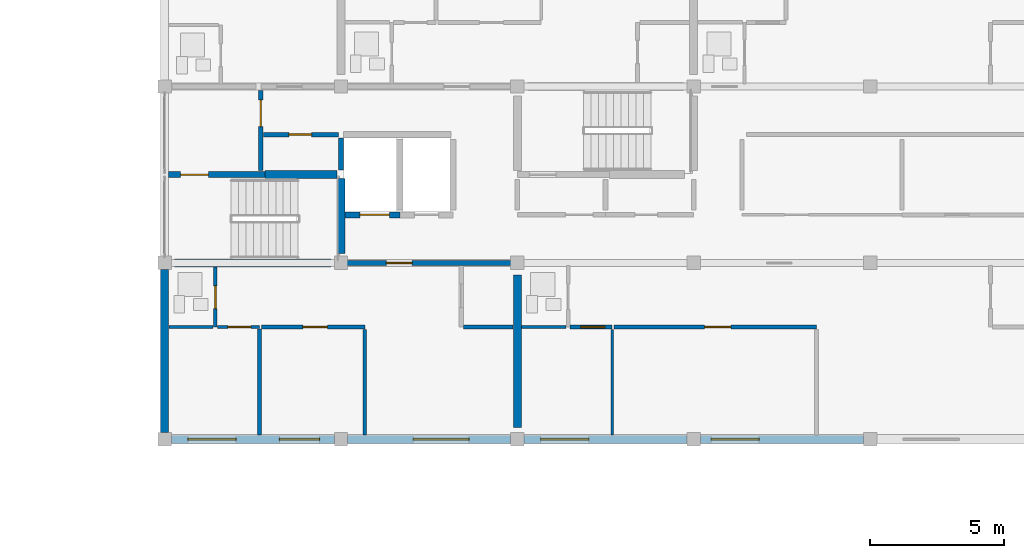
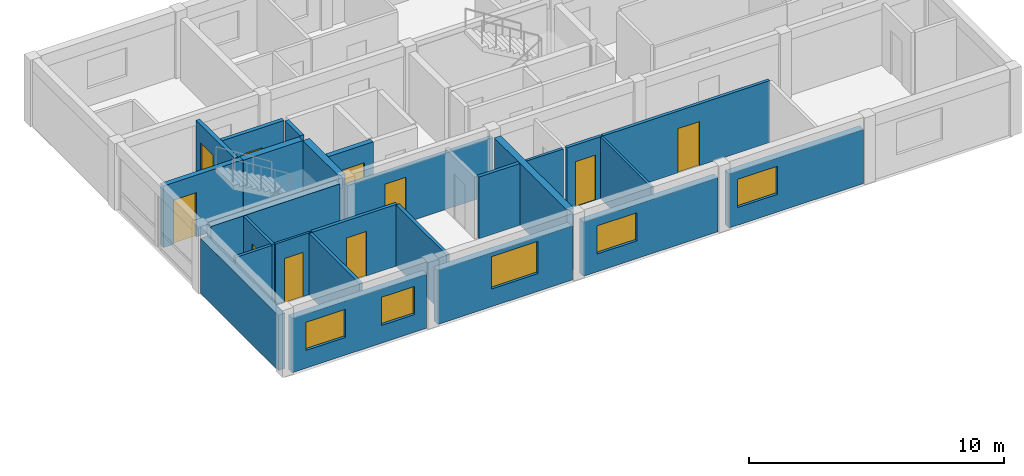
# One storey, part 34 of 45: 26 walls, 10 doors, 5 windows, 15 openings.
"""IFC4 building model written with IfcOpenShell, lengths in metres."""

from ifc_helpers import new_model, si_unit, direction, frame, frame_2d, origin, place, context, subcontext, project, spatial, rectangle, extrude, material, layer, layer_set, type_object, element, fill, save


model = new_model("IFC4")

# Units and contexts
model_context = context("Model", 3, precision=1e-05, world=origin(), true_north=direction((0.0, 1.0)))
body_context = subcontext(model_context, "Body", "Model", "MODEL_VIEW")
ifc_project = project(units=[si_unit("LENGTHUNIT", "METRE"), si_unit("AREAUNIT", "SQUARE_METRE"), si_unit("VOLUMEUNIT", "CUBIC_METRE"), si_unit("PLANEANGLEUNIT", "RADIAN"), si_unit("MASSUNIT", "GRAM", prefix="KILO")], contexts=[model_context])

# Site, building, storey
site_placement = place(None, origin())
site = spatial("IfcSite", under=ifc_project, at=site_placement, CompositionType="ELEMENT")
building_placement = place(site_placement, origin())
building = spatial("IfcBuilding", under=site, at=building_placement, Name="Kernevlak Ridge Housing Community", CompositionType="ELEMENT")
storey_placement = place(building_placement, frame((0.0, 0.0, 14.800048828125)))
storey = spatial("IfcBuildingStorey", under=building, at=storey_placement, Name="L04", CompositionType="ELEMENT", Elevation=14.800048828125)

# Wall, openings, windows
ifc_material_1 = material(Name="Concrete block masonry M10", Category="masonry")
ifc_layer_1 = layer(ifc_material_1, 0.300048828125, Name="Concrete block masonry M10")
ifc_layer_set_1 = layer_set([ifc_layer_1], Name="Concrete block masonry M10")
wall_type_1 = type_object("IfcWallType", Name="EW-01", PredefinedType="STANDARD", material=ifc_layer_set_1)
wall_1_placement = place(storey_placement, frame((119.64990234375, 82.60009765625, 0.0), z_axis=(0.0, 0.0, 1.0), x_axis=(1.0, 0.0, 0.0)))
wall_1 = element("IfcWall", 1, at=wall_1_placement, inside=storey, type_object=wall_type_1, Name="Exterior wall EW-01 L04 355", PredefinedType="STANDARD", context=body_context, shape_type="SweptSolid", body=[
    extrude(rectangle(XDim=6.10009765625, YDim=0.300048828125, at=frame_2d((3.050048828125, 0.0))), origin(), (0.0, 0.0, 1.0), 2.599853515625),
])
opening_1_placement = place(wall_1_placement, frame((0.625, 0.0, 0.85009765625)))
opening_1 = element("IfcOpeningElement", 2, at=opening_1_placement, cuts=wall_1, Name="Opening WT-03", PredefinedType="OPENING", context=body_context, shape_type="SweptSolid", body=[
    extrude(rectangle(XDim=1.800048828125, YDim=1.35009765625, at=frame_2d((0.89990234375, 0.675048828125))), frame((0.0, 0.159912109375, 0.0), z_axis=(0.0, -1.0, 0.0), x_axis=(1.0, 0.0, 0.0)), (0.0, 0.0, 1.0), 0.320068359375),
])
opening_2_placement = place(wall_1_placement, frame((4.050048828125, 0.0, 0.85009765625)))
opening_2 = element("IfcOpeningElement", 3, at=opening_2_placement, cuts=wall_1, Name="Opening WT-02", PredefinedType="OPENING", context=body_context, shape_type="SweptSolid", body=[
    extrude(rectangle(XDim=1.5, YDim=1.35009765625, at=frame_2d((0.75, 0.675048828125))), frame((0.0, 0.159912109375, 0.0), z_axis=(0.0, -1.0, 0.0), x_axis=(1.0, 0.0, 0.0)), (0.0, 0.0, 1.0), 0.320068359375),
])
ifc_material_2 = material(Name="Aluminium EN AW-6060 anodised and laminated glass", Category="aluminium")
window_type_1 = type_object("IfcWindowType", Name="WT-02", PartitioningType="SINGLE_PANEL", PredefinedType="WINDOW", material=ifc_material_2)
window_1_placement = place(opening_2_placement, origin())
window_1 = element("IfcWindow", 4, at=window_1_placement, inside=storey, type_object=window_type_1, Name="Window WT-02 L04 272", OverallHeight=1.35009765625, OverallWidth=1.5, PartitioningType="SINGLE_PANEL", PredefinedType="WINDOW", context=body_context, shape_type="SweptSolid", body=[
    extrude(rectangle(XDim=1.5, YDim=1.35009765625, at=frame_2d((0.75, 0.675048828125))), frame((0.0, 0.030029296875, 0.0), z_axis=(0.0, -1.0, 0.0), x_axis=(1.0, 0.0, 0.0)), (0.0, 0.0, 1.0), 0.06005859375),
])
fill(opening_2, window_1)
window_type_2 = type_object("IfcWindowType", Name="WT-03", PartitioningType="SINGLE_PANEL", PredefinedType="WINDOW", material=ifc_material_2)
window_2_placement = place(opening_1_placement, origin())
window_2 = element("IfcWindow", 5, at=window_2_placement, inside=storey, type_object=window_type_2, Name="Window WT-03 L04 271", OverallHeight=1.35009765625, OverallWidth=1.800048828125, PartitioningType="SINGLE_PANEL", PredefinedType="WINDOW", context=body_context, shape_type="SweptSolid", body=[
    extrude(rectangle(XDim=1.800048828125, YDim=1.35009765625, at=frame_2d((0.89990234375, 0.675048828125))), frame((0.0, 0.030029296875, 0.0), z_axis=(0.0, -1.0, 0.0), x_axis=(1.0, 0.0, 0.0)), (0.0, 0.0, 1.0), 0.06005859375),
])
fill(opening_1, window_2)

# Wall, opening, window
wall_2_placement = place(storey_placement, frame((126.25, 82.60009765625, 0.0), z_axis=(0.0, 0.0, 1.0), x_axis=(1.0, 0.0, 0.0)))
wall_2 = element("IfcWall", 6, at=wall_2_placement, inside=storey, type_object=wall_type_1, Name="Exterior wall EW-01 L04 356", PredefinedType="STANDARD", context=body_context, shape_type="SweptSolid", body=[
    extrude(rectangle(XDim=6.10009765625, YDim=0.300048828125, at=frame_2d((3.050048828125, 0.0))), origin(), (0.0, 0.0, 1.0), 2.599853515625),
])
opening_3_placement = place(wall_2_placement, frame((2.446044921875, 0.0, 0.85009765625)))
opening_3 = element("IfcOpeningElement", 7, at=opening_3_placement, cuts=wall_2, Name="Opening WT-05", PredefinedType="OPENING", context=body_context, shape_type="SweptSolid", body=[
    extrude(rectangle(XDim=2.10009765625, YDim=1.550048828125, at=frame_2d((1.050048828125, 0.77490234375))), frame((0.0, 0.159912109375, 0.0), z_axis=(0.0, -1.0, 0.0), x_axis=(1.0, 0.0, 0.0)), (0.0, 0.0, 1.0), 0.320068359375),
])
window_type_3 = type_object("IfcWindowType", Name="WT-05", PartitioningType="SINGLE_PANEL", PredefinedType="WINDOW", material=ifc_material_2)
window_3_placement = place(opening_3_placement, origin())
window_3 = element("IfcWindow", 8, at=window_3_placement, inside=storey, type_object=window_type_3, Name="Window WT-05 L04 273", OverallHeight=1.550048828125, OverallWidth=2.10009765625, PartitioningType="SINGLE_PANEL", PredefinedType="WINDOW", context=body_context, shape_type="SweptSolid", body=[
    extrude(rectangle(XDim=2.10009765625, YDim=1.550048828125, at=frame_2d((1.050048828125, 0.77490234375))), frame((0.0, 0.030029296875, 0.0), z_axis=(0.0, -1.0, 0.0), x_axis=(1.0, 0.0, 0.0)), (0.0, 0.0, 1.0), 0.06005859375),
])
fill(opening_3, window_3)

wall_3_placement = place(storey_placement, frame((132.85009765625, 82.60009765625, 0.0), z_axis=(0.0, 0.0, 1.0), x_axis=(1.0, 0.0, 0.0)))
wall_3 = element("IfcWall", 9, at=wall_3_placement, inside=storey, type_object=wall_type_1, Name="Exterior wall EW-01 L04 357", PredefinedType="STANDARD", context=body_context, shape_type="SweptSolid", body=[
    extrude(rectangle(XDim=6.099853515625, YDim=0.300048828125, at=frame_2d((3.0498046875, 0.0))), origin(), (0.0, 0.0, 1.0), 2.599853515625),
])
opening_4_placement = place(wall_3_placement, frame((0.625, 0.0, 0.85009765625)))
opening_4 = element("IfcOpeningElement", 10, at=opening_4_placement, cuts=wall_3, Name="Opening WT-03", PredefinedType="OPENING", context=body_context, shape_type="SweptSolid", body=[
    extrude(rectangle(XDim=1.800048828125, YDim=1.35009765625, at=frame_2d((0.89990234375, 0.675048828125))), frame((0.0, 0.159912109375, 0.0), z_axis=(0.0, -1.0, 0.0), x_axis=(1.0, 0.0, 0.0)), (0.0, 0.0, 1.0), 0.320068359375),
])
window_4_placement = place(opening_4_placement, origin())
window_4 = element("IfcWindow", 11, at=window_4_placement, inside=storey, type_object=window_type_2, Name="Window WT-03 L04 274", OverallHeight=1.35009765625, OverallWidth=1.800048828125, PartitioningType="SINGLE_PANEL", PredefinedType="WINDOW", context=body_context, shape_type="SweptSolid", body=[
    extrude(rectangle(XDim=1.800048828125, YDim=1.35009765625, at=frame_2d((0.89990234375, 0.675048828125))), frame((0.0, 0.030029296875, 0.0), z_axis=(0.0, -1.0, 0.0), x_axis=(1.0, 0.0, 0.0)), (0.0, 0.0, 1.0), 0.06005859375),
])
fill(opening_4, window_4)

wall_4_placement = place(storey_placement, frame((139.449951171875, 82.60009765625, 0.0), z_axis=(0.0, 0.0, 1.0), x_axis=(1.0, 0.0, 0.0)))
wall_4 = element("IfcWall", 12, at=wall_4_placement, inside=storey, type_object=wall_type_1, Name="Exterior wall EW-01 L04 358", PredefinedType="STANDARD", context=body_context, shape_type="SweptSolid", body=[
    extrude(rectangle(XDim=6.10009765625, YDim=0.300048828125, at=frame_2d((3.050048828125, 0.0))), origin(), (0.0, 0.0, 1.0), 2.599853515625),
])
opening_5_placement = place(wall_4_placement, frame((0.39990234375, 0.0, 0.85009765625)))
opening_5 = element("IfcOpeningElement", 13, at=opening_5_placement, cuts=wall_4, Name="Opening WT-03", PredefinedType="OPENING", context=body_context, shape_type="SweptSolid", body=[
    extrude(rectangle(XDim=1.800048828125, YDim=1.35009765625, at=frame_2d((0.89990234375, 0.675048828125))), frame((0.0, 0.159912109375, 0.0), z_axis=(0.0, -1.0, 0.0), x_axis=(1.0, 0.0, 0.0)), (0.0, 0.0, 1.0), 0.320068359375),
])
window_5_placement = place(opening_5_placement, origin())
window_5 = element("IfcWindow", 14, at=window_5_placement, inside=storey, type_object=window_type_2, Name="Window WT-03 L04 275", OverallHeight=1.35009765625, OverallWidth=1.800048828125, PartitioningType="SINGLE_PANEL", PredefinedType="WINDOW", context=body_context, shape_type="SweptSolid", body=[
    extrude(rectangle(XDim=1.800048828125, YDim=1.35009765625, at=frame_2d((0.89990234375, 0.675048828125))), frame((0.0, 0.030029296875, 0.0), z_axis=(0.0, -1.0, 0.0), x_axis=(1.0, 0.0, 0.0)), (0.0, 0.0, 1.0), 0.06005859375),
])
fill(opening_5, window_5)

# Wall
wall_5_placement = place(storey_placement, frame((119.39990234375, 82.85009765625, 0.0), z_axis=(0.0, 0.0, 1.0), x_axis=(0.0, 1.0, 0.0)))
element("IfcWall", 15, at=wall_5_placement, inside=storey, type_object=wall_type_1, Name="Exterior wall EW-01 L04 367", PredefinedType="STANDARD", context=body_context, shape_type="SweptSolid", body=[
    extrude(rectangle(XDim=6.099853515625, YDim=0.300048828125, at=frame_2d((3.0498046875, 0.0))), origin(), (0.0, 0.0, 1.0), 2.64990234375),
])

# Wall, opening, door
ifc_material_3 = material(Name="Concrete C35/45", Category="concrete")
ifc_layer_2 = layer(ifc_material_3, 0.22509765625, Name="Concrete C35/45")
ifc_layer_set_2 = layer_set([ifc_layer_2], Name="Concrete C35/45")
wall_type_2 = type_object("IfcWallType", Name="PW-01", PredefinedType="STANDARD", material=ifc_layer_set_2)
wall_6_placement = place(storey_placement, frame((119.550048828125, 92.5, 0.0), z_axis=(0.0, 0.0, 1.0), x_axis=(1.0, 0.0, 0.0)))
wall_6 = element("IfcWall", 16, at=wall_6_placement, inside=storey, type_object=wall_type_2, Name="Interior wall PW-01 WAL-INT-L04-1385", PredefinedType="STANDARD", context=body_context, shape_type="SweptSolid", body=[
    extrude(rectangle(XDim=3.599853515625, YDim=0.22509765625, at=frame_2d((1.7998046875, 0.0))), origin(), (0.0, 0.0, 1.0), 2.9599609375),
])
opening_6_placement = place(wall_6_placement, frame((0.449951171875, 0.0, 0.0)))
opening_6 = element("IfcOpeningElement", 17, at=opening_6_placement, cuts=wall_6, Name="Opening D702", PredefinedType="OPENING", context=body_context, shape_type="SweptSolid", body=[
    extrude(rectangle(XDim=1.0400390625, YDim=2.1201171875, at=frame_2d((0.52001953125, 1.06005859375))), frame((0.0, 0.12255859375, 0.0), z_axis=(0.0, -1.0, 0.0), x_axis=(1.0, 0.0, 0.0)), (0.0, 0.0, 1.0), 0.2451171875),
])
ifc_material_4 = material(Name="Fire-rated sheet steel leaf", Category="steel")
door_type_1 = type_object("IfcDoorType", Name="DT-16", OperationType="NOTDEFINED", PredefinedType="DOOR", material=ifc_material_4)
door_1_placement = place(opening_6_placement, origin())
door_1 = element("IfcDoor", 18, at=door_1_placement, inside=storey, type_object=door_type_1, Name="Block B Stair 1 fire door D702", OperationType="SINGLE_SWING_RIGHT", OverallHeight=2.1201171875, OverallWidth=1.0400390625, PredefinedType="DOOR", context=body_context, shape_type="SweptSolid", body=[
    extrude(rectangle(XDim=1.0400390625, YDim=2.1201171875, at=frame_2d((0.52001953125, 1.06005859375))), frame((0.0, 0.02490234375, 0.0), z_axis=(0.0, -1.0, 0.0), x_axis=(1.0, 0.0, 0.0)), (0.0, 0.0, 1.0), 0.050048828125),
])
fill(opening_6, door_1)

wall_7_placement = place(storey_placement, frame((126.159912109375, 91.0, 0.0), z_axis=(0.0, 0.0, 1.0), x_axis=(1.0, 0.0, 0.0)))
wall_7 = element("IfcWall", 19, at=wall_7_placement, inside=storey, type_object=wall_type_2, Name="Interior wall PW-01 WAL-INT-L04-1389", PredefinedType="STANDARD", context=body_context, shape_type="SweptSolid", body=[
    extrude(rectangle(XDim=2.0400390625, YDim=0.22509765625, at=frame_2d((1.02001953125, 0.0))), origin(), (0.0, 0.0, 1.0), 2.9599609375),
])
opening_7_placement = place(wall_7_placement, frame((0.550048828125, 0.0, 0.0)))
opening_7 = element("IfcOpeningElement", 20, at=opening_7_placement, cuts=wall_7, Name="Opening LD38", PredefinedType="OPENING", context=body_context, shape_type="SweptSolid", body=[
    extrude(rectangle(XDim=1.10009765625, YDim=2.10009765625, at=frame_2d((0.550048828125, 1.050048828125))), frame((0.0, 0.12255859375, 0.0), z_axis=(0.0, -1.0, 0.0), x_axis=(1.0, 0.0, 0.0)), (0.0, 0.0, 1.0), 0.2451171875),
])
ifc_material_5 = material(Name="Stainless steel EN 1.4401", Category="steel")
door_type_2 = type_object("IfcDoorType", Name="DT-LD1", OperationType="DOUBLE_DOOR_SLIDING", PredefinedType="DOOR", material=ifc_material_5)
door_2_placement = place(opening_7_placement, origin())
door_2 = element("IfcDoor", 21, at=door_2_placement, inside=storey, type_object=door_type_2, Name="Lift LF-B1 landing door LD38", OperationType="DOUBLE_DOOR_SLIDING", OverallHeight=2.10009765625, OverallWidth=1.10009765625, PredefinedType="DOOR", context=body_context, shape_type="SweptSolid", body=[
    extrude(rectangle(XDim=1.10009765625, YDim=2.10009765625, at=frame_2d((0.550048828125, 1.050048828125))), frame((0.0, 0.02490234375, 0.0), z_axis=(0.0, -1.0, 0.0), x_axis=(1.0, 0.0, 0.0)), (0.0, 0.0, 1.0), 0.050048828125),
])
fill(opening_7, door_2)

ifc_layer_3 = layer(ifc_material_1, 0.175048828125, Name="Concrete block masonry M10")
ifc_layer_set_3 = layer_set([ifc_layer_3], Name="Concrete block masonry M10")
wall_type_3 = type_object("IfcWallType", Name="PW-02", PredefinedType="PARTITIONING", material=ifc_layer_set_3)
wall_8_placement = place(storey_placement, frame((123.0, 92.64990234375, 0.0), z_axis=(0.0, 0.0, 1.0), x_axis=(0.0, 1.0, 0.0)))
wall_8 = element("IfcWall", 22, at=wall_8_placement, inside=storey, type_object=wall_type_3, Name="Interior wall PW-02 WAL-INT-L04-1386", PredefinedType="PARTITIONING", context=body_context, shape_type="SweptSolid", body=[
    extrude(rectangle(XDim=3.0, YDim=0.175048828125, at=frame_2d((1.5, 0.0))), origin(), (0.0, 0.0, 1.0), 2.9599609375),
])
opening_8_placement = place(wall_8_placement, frame((1.64990234375, 0.0, 0.0)))
opening_8 = element("IfcOpeningElement", 23, at=opening_8_placement, cuts=wall_8, Name="Opening D703", PredefinedType="OPENING", context=body_context, shape_type="SweptSolid", body=[
    extrude(rectangle(XDim=1.0, YDim=2.10009765625, at=frame_2d((0.5, 1.050048828125))), frame((0.0, 0.097412109375, 0.0), z_axis=(0.0, -1.0, 0.0), x_axis=(1.0, 0.0, 0.0)), (0.0, 0.0, 1.0), 0.195068359375),
])
door_type_3 = type_object("IfcDoorType", Name="DT-05", OperationType="NOTDEFINED", PredefinedType="DOOR", material=ifc_material_4)
door_3_placement = place(opening_8_placement, origin())
door_3 = element("IfcDoor", 24, at=door_3_placement, inside=storey, type_object=door_type_3, Name="Block B Firefighting lobby 1 door D703", OperationType="SINGLE_SWING_LEFT", OverallHeight=2.10009765625, OverallWidth=1.0, PredefinedType="DOOR", context=body_context, shape_type="SweptSolid", body=[
    extrude(rectangle(XDim=1.0, YDim=2.10009765625, at=frame_2d((0.5, 1.050048828125))), frame((0.0, 0.02490234375, 0.0), z_axis=(0.0, -1.0, 0.0), x_axis=(1.0, 0.0, 0.0)), (0.0, 0.0, 1.0), 0.050048828125),
])
fill(opening_8, door_3)

wall_9_placement = place(storey_placement, frame((123.10009765625, 94.0, 0.0), z_axis=(0.0, 0.0, 1.0), x_axis=(1.0, 0.0, 0.0)))
wall_9 = element("IfcWall", 25, at=wall_9_placement, inside=storey, type_object=wall_type_3, Name="Interior wall PW-02 WAL-INT-L04-1387", PredefinedType="PARTITIONING", context=body_context, shape_type="SweptSolid", body=[
    extrude(rectangle(XDim=2.7998046875, YDim=0.175048828125, at=frame_2d((1.39990234375, 0.0))), origin(), (0.0, 0.0, 1.0), 2.9599609375),
])
opening_9_placement = place(wall_9_placement, frame((0.949951171875, 0.0, 0.0)))
opening_9 = element("IfcOpeningElement", 26, at=opening_9_placement, cuts=wall_9, Name="Opening D704", PredefinedType="OPENING", context=body_context, shape_type="SweptSolid", body=[
    extrude(rectangle(XDim=0.85009765625, YDim=2.0, at=frame_2d((0.425048828125, 1.0))), frame((0.0, 0.097412109375, 0.0), z_axis=(0.0, -1.0, 0.0), x_axis=(1.0, 0.0, 0.0)), (0.0, 0.0, 1.0), 0.195068359375),
])
door_type_4 = type_object("IfcDoorType", Name="DT-07", OperationType="NOTDEFINED", PredefinedType="DOOR", material=ifc_material_4)
door_4_placement = place(opening_9_placement, origin())
door_4 = element("IfcDoor", 27, at=door_4_placement, inside=storey, type_object=door_type_4, Name="Block B Riser shaft door D704", OperationType="SINGLE_SWING_RIGHT", OverallHeight=2.0, OverallWidth=0.85009765625, PredefinedType="DOOR", context=body_context, shape_type="SweptSolid", body=[
    extrude(rectangle(XDim=0.85009765625, YDim=2.0, at=frame_2d((0.425048828125, 1.0))), frame((0.0, 0.02490234375, 0.0), z_axis=(0.0, -1.0, 0.0), x_axis=(1.0, 0.0, 0.0)), (0.0, 0.0, 1.0), 0.050048828125),
])
fill(opening_9, door_4)

# Wall
wall_10_placement = place(storey_placement, frame((126.0, 92.679931640625, 0.0), z_axis=(0.0, 0.0, 1.0), x_axis=(0.0, 1.0, 0.0)))
element("IfcWall", 28, at=wall_10_placement, inside=storey, type_object=wall_type_3, Name="Interior wall PW-02 WAL-INT-L04-1388", PredefinedType="PARTITIONING", context=body_context, shape_type="SweptSolid", body=[
    extrude(rectangle(XDim=1.190185546875, YDim=0.175048828125, at=frame_2d((0.59521484375, 0.0))), origin(), (0.0, 0.0, 1.0), 2.9599609375),
])

# Wall, opening, door
wall_11_placement = place(storey_placement, frame((126.0, 89.199951171875, 0.0), z_axis=(0.0, 0.0, 1.0), x_axis=(1.0, 0.0, 0.0)))
wall_11 = element("IfcWall", 29, at=wall_11_placement, inside=storey, type_object=wall_type_3, Name="Interior wall PW-02 WAL-INT-L04-1406", PredefinedType="PARTITIONING", context=body_context, shape_type="SweptSolid", body=[
    extrude(rectangle(XDim=6.60009765625, YDim=0.175048828125, at=frame_2d((3.300048828125, 0.0))), origin(), (0.0, 0.0, 1.0), 2.699951171875),
])
opening_10_placement = place(wall_11_placement, frame((1.699951171875, 0.0, 0.0)))
opening_10 = element("IfcOpeningElement", 30, at=opening_10_placement, cuts=wall_11, Name="Opening D710", PredefinedType="OPENING", context=body_context, shape_type="SweptSolid", body=[
    extrude(rectangle(XDim=0.9599609375, YDim=2.179931640625, at=frame_2d((0.47998046875, 1.08984375))), frame((0.0, 0.097412109375, 0.0), z_axis=(0.0, -1.0, 0.0), x_axis=(1.0, 0.0, 0.0)), (0.0, 0.0, 1.0), 0.195068359375),
])
ifc_material_6 = material(Name="Hardwood timber solid-core fire leaf", Category="wood")
door_type_5 = type_object("IfcDoorType", Name="DT-29", OperationType="NOTDEFINED", PredefinedType="DOOR", material=ifc_material_6)
door_5_placement = place(opening_10_placement, origin())
door_5 = element("IfcDoor", 31, at=door_5_placement, inside=storey, type_object=door_type_5, Name="Flat B0411 entrance fire door D710", OperationType="SINGLE_SWING_RIGHT", OverallHeight=2.179931640625, OverallWidth=0.9599609375, PredefinedType="DOOR", context=body_context, shape_type="SweptSolid", body=[
    extrude(rectangle(XDim=0.9599609375, YDim=2.179931640625, at=frame_2d((0.47998046875, 1.08984375))), frame((0.0, 0.02490234375, 0.0), z_axis=(0.0, -1.0, 0.0), x_axis=(1.0, 0.0, 0.0)), (0.0, 0.0, 1.0), 0.050048828125),
])
fill(opening_10, door_5)

# Wall
ifc_layer_4 = layer(ifc_material_1, 0.14501953125, Name="Concrete block masonry M10")
ifc_layer_set_4 = layer_set([ifc_layer_4], Name="Concrete block masonry M10")
wall_type_4 = type_object("IfcWallType", Name="PW-03", PredefinedType="PARTITIONING", material=ifc_layer_set_4)
wall_12_placement = place(storey_placement, frame((122.949951171875, 86.719970703125, 0.0), z_axis=(0.0, 0.0, 1.0), x_axis=(0.0, -1.0, 0.0)))
element("IfcWall", 32, at=wall_12_placement, inside=storey, type_object=wall_type_4, Name="Interior wall PW-03 WAL-INT-L04-1412", PredefinedType="PARTITIONING", context=body_context, shape_type="SweptSolid", body=[
    extrude(rectangle(XDim=3.9599609375, YDim=0.14501953125, at=frame_2d((1.97998046875, 0.0))), origin(), (0.0, 0.0, 1.0), 2.9599609375),
])

# Wall, opening, door
wall_13_placement = place(storey_placement, frame((123.032470703125, 86.800048828125, 0.0), z_axis=(0.0, 0.0, 1.0), x_axis=(1.0, 0.0, 0.0)))
wall_13 = element("IfcWall", 33, at=wall_13_placement, inside=storey, type_object=wall_type_4, Name="Interior wall PW-03 WAL-INT-L04-1413", PredefinedType="PARTITIONING", context=body_context, shape_type="SweptSolid", body=[
    extrude(rectangle(XDim=3.859619140625, YDim=0.14501953125, at=frame_2d((1.9296875, 0.0))), origin(), (0.0, 0.0, 1.0), 2.9599609375),
])
opening_11_placement = place(wall_13_placement, frame((1.5458984375, 0.0, 0.0)))
opening_11 = element("IfcOpeningElement", 34, at=opening_11_placement, cuts=wall_13, Name="Opening D714", PredefinedType="OPENING", context=body_context, shape_type="SweptSolid", body=[
    extrude(rectangle(XDim=0.909912109375, YDim=2.139892578125, at=frame_2d((0.455078125, 1.06982421875))), frame((0.0, 0.08251953125, 0.0), z_axis=(0.0, -1.0, 0.0), x_axis=(1.0, 0.0, 0.0)), (0.0, 0.0, 1.0), 0.1650390625),
])
ifc_material_7 = material(Name="Hardwood timber leaf", Category="wood")
door_type_6 = type_object("IfcDoorType", Name="DT-31", OperationType="NOTDEFINED", PredefinedType="DOOR", material=ifc_material_7)
door_6_placement = place(opening_11_placement, origin())
door_6 = element("IfcDoor", 35, at=door_6_placement, inside=storey, type_object=door_type_6, Name="Flat B0411 bedroom door D714", OperationType="SINGLE_SWING_RIGHT", OverallHeight=2.139892578125, OverallWidth=0.909912109375, PredefinedType="DOOR", context=body_context, shape_type="SweptSolid", body=[
    extrude(rectangle(XDim=0.909912109375, YDim=2.139892578125, at=frame_2d((0.455078125, 1.06982421875))), frame((0.0, 0.02490234375, 0.0), z_axis=(0.0, -1.0, 0.0), x_axis=(1.0, 0.0, 0.0)), (0.0, 0.0, 1.0), 0.050048828125),
])
fill(opening_11, door_6)

# Wall
wall_14_placement = place(storey_placement, frame((126.89208984375, 86.717529296875, 0.0), z_axis=(0.0, 0.0, 1.0), x_axis=(0.0, -1.0, 0.0)))
element("IfcWall", 36, at=wall_14_placement, inside=storey, type_object=wall_type_4, Name="Interior wall PW-03 WAL-INT-L04-1414", PredefinedType="PARTITIONING", context=body_context, shape_type="SweptSolid", body=[
    extrude(rectangle(XDim=3.95751953125, YDim=0.14501953125, at=frame_2d((1.978759765625, 0.0))), origin(), (0.0, 0.0, 1.0), 2.9599609375),
])

# Wall, opening, door
wall_15_placement = place(storey_placement, frame((134.572509765625, 86.800048828125, 0.0), z_axis=(0.0, 0.0, 1.0), x_axis=(1.0, 0.0, 0.0)))
wall_15 = element("IfcWall", 37, at=wall_15_placement, inside=storey, type_object=wall_type_4, Name="Interior wall PW-03 WAL-INT-L04-1420", PredefinedType="PARTITIONING", context=body_context, shape_type="SweptSolid", body=[
    extrude(rectangle(XDim=1.577392578125, YDim=0.14501953125, at=frame_2d((0.78857421875, 0.0))), origin(), (0.0, 0.0, 1.0), 2.9599609375),
])
opening_12_placement = place(wall_15_placement, frame((0.39990234375, 0.0, 0.0)))
opening_12 = element("IfcOpeningElement", 38, at=opening_12_placement, cuts=wall_15, Name="Opening D718", PredefinedType="OPENING", context=body_context, shape_type="SweptSolid", body=[
    extrude(rectangle(XDim=0.89990234375, YDim=2.159912109375, at=frame_2d((0.449951171875, 1.080078125))), frame((0.0, 0.08251953125, 0.0), z_axis=(0.0, -1.0, 0.0), x_axis=(1.0, 0.0, 0.0)), (0.0, 0.0, 1.0), 0.1650390625),
])
door_type_7 = type_object("IfcDoorType", Name="DT-22", OperationType="NOTDEFINED", PredefinedType="DOOR", material=ifc_material_7)
door_7_placement = place(opening_12_placement, origin())
door_7 = element("IfcDoor", 39, at=door_7_placement, inside=storey, type_object=door_type_7, Name="Flat B0412 bedroom door D718", OperationType="SINGLE_SWING_RIGHT", OverallHeight=2.159912109375, OverallWidth=0.89990234375, PredefinedType="DOOR", context=body_context, shape_type="SweptSolid", body=[
    extrude(rectangle(XDim=0.89990234375, YDim=2.159912109375, at=frame_2d((0.449951171875, 1.080078125))), frame((0.0, 0.02490234375, 0.0), z_axis=(0.0, -1.0, 0.0), x_axis=(1.0, 0.0, 0.0)), (0.0, 0.0, 1.0), 0.050048828125),
])
fill(opening_12, door_7)

wall_16_placement = place(storey_placement, frame((136.21240234375, 86.800048828125, 0.0), z_axis=(0.0, 0.0, 1.0), x_axis=(1.0, 0.0, 0.0)))
wall_16 = element("IfcWall", 40, at=wall_16_placement, inside=storey, type_object=wall_type_4, Name="Interior wall PW-03 WAL-INT-L04-1422", PredefinedType="PARTITIONING", context=body_context, shape_type="SweptSolid", body=[
    extrude(rectangle(XDim=7.57568359375, YDim=0.14501953125, at=frame_2d((3.787841796875, 0.0))), origin(), (0.0, 0.0, 1.0), 2.9599609375),
])
opening_13_placement = place(wall_16_placement, frame((3.39404296875, 0.0, 0.0)))
opening_13 = element("IfcOpeningElement", 41, at=opening_13_placement, cuts=wall_16, Name="Opening D719", PredefinedType="OPENING", context=body_context, shape_type="SweptSolid", body=[
    extrude(rectangle(XDim=0.97998046875, YDim=2.1201171875, at=frame_2d((0.489990234375, 1.06005859375))), frame((0.0, 0.08251953125, 0.0), z_axis=(0.0, -1.0, 0.0), x_axis=(1.0, 0.0, 0.0)), (0.0, 0.0, 1.0), 0.1650390625),
])
door_type_8 = type_object("IfcDoorType", Name="DT-24", OperationType="NOTDEFINED", PredefinedType="DOOR", material=ifc_material_7)
door_8_placement = place(opening_13_placement, origin())
door_8 = element("IfcDoor", 42, at=door_8_placement, inside=storey, type_object=door_type_8, Name="Flat B0412 bedroom door D719", OperationType="SINGLE_SWING_LEFT", OverallHeight=2.1201171875, OverallWidth=0.97998046875, PredefinedType="DOOR", context=body_context, shape_type="SweptSolid", body=[
    extrude(rectangle(XDim=0.97998046875, YDim=2.1201171875, at=frame_2d((0.489990234375, 1.06005859375))), frame((0.0, 0.02490234375, 0.0), z_axis=(0.0, -1.0, 0.0), x_axis=(1.0, 0.0, 0.0)), (0.0, 0.0, 1.0), 0.050048828125),
])
fill(opening_13, door_8)

ifc_material_8 = material(Name="Gypsum plasterboard EN 520", Category="gypsum")
ifc_layer_5 = layer(ifc_material_8, 0.125, Name="Gypsum plasterboard EN 520")
ifc_layer_set_5 = layer_set([ifc_layer_5], Name="Gypsum plasterboard EN 520")
wall_type_5 = type_object("IfcWallType", Name="PW-04", PredefinedType="PARTITIONING", material=ifc_layer_set_5)
wall_17_placement = place(storey_placement, frame((121.300048828125, 89.0400390625, 0.0), z_axis=(0.0, 0.0, 1.0), x_axis=(0.0, -1.0, 0.0)))
wall_17 = element("IfcWall", 43, at=wall_17_placement, inside=storey, type_object=wall_type_5, Name="Interior wall PW-04 WAL-INT-L04-1407", PredefinedType="PARTITIONING", context=body_context, shape_type="SweptSolid", body=[
    extrude(rectangle(XDim=2.239990234375, YDim=0.125, at=frame_2d((1.1201171875, 0.0))), origin(), (0.0, 0.0, 1.0), 2.9599609375),
])
opening_14_placement = place(wall_17_placement, frame((0.699951171875, 0.0, 0.0)))
opening_14 = element("IfcOpeningElement", 44, at=opening_14_placement, cuts=wall_17, Name="Opening D711", PredefinedType="OPENING", context=body_context, shape_type="SweptSolid", body=[
    extrude(rectangle(XDim=0.85009765625, YDim=2.0400390625, at=frame_2d((0.425048828125, 1.02001953125))), frame((0.0, 0.072509765625, 0.0), z_axis=(0.0, -1.0, 0.0), x_axis=(1.0, 0.0, 0.0)), (0.0, 0.0, 1.0), 0.14501953125),
])
ifc_material_9 = material(Name="Hardwood timber moisture-resistant leaf", Category="wood")
door_type_9 = type_object("IfcDoorType", Name="DT-04", OperationType="NOTDEFINED", PredefinedType="DOOR", material=ifc_material_9)
door_9_placement = place(opening_14_placement, origin())
door_9 = element("IfcDoor", 45, at=door_9_placement, inside=storey, type_object=door_type_9, Name="Flat B0411 bathroom door D711", OperationType="SINGLE_SWING_LEFT", OverallHeight=2.0400390625, OverallWidth=0.85009765625, PredefinedType="DOOR", context=body_context, shape_type="SweptSolid", body=[
    extrude(rectangle(XDim=0.85009765625, YDim=2.0400390625, at=frame_2d((0.425048828125, 1.02001953125))), frame((0.0, 0.02490234375, 0.0), z_axis=(0.0, -1.0, 0.0), x_axis=(1.0, 0.0, 0.0)), (0.0, 0.0, 1.0), 0.050048828125),
])
fill(opening_14, door_9)

# Walls
for number, where, z_axis, x_axis, name in (
    (46, (119.56005859375, 86.800048828125, 0.0), (0.0, 0.0, 1.0), (1.0, 0.0, 0.0), "Interior wall PW-04 WAL-INT-L04-1408"),
    (47, (132.760009765625, 86.800048828125, 0.0), (0.0, 0.0, 1.0), (1.0, 0.0, 0.0), "Interior wall PW-04 WAL-INT-L04-1417"),
):
    element("IfcWall", number, at=place(storey_placement, frame(where, z_axis=z_axis, x_axis=x_axis)), inside=storey, type_object=wall_type_5, Name=name, PredefinedType="PARTITIONING", context=body_context, shape_type="SweptSolid", body=[
        extrude(rectangle(XDim=1.659912109375, YDim=0.125, at=frame_2d((0.830078125, 0.0))), origin(), (0.0, 0.0, 1.0), 2.9599609375),
    ])
ifc_layer_6 = layer(ifc_material_8, 0.155029296875, Name="Gypsum plasterboard EN 520")
ifc_layer_set_6 = layer_set([ifc_layer_6], Name="Gypsum plasterboard EN 520")
wall_type_6 = type_object("IfcWallType", Name="PW-05", PredefinedType="PARTITIONING", material=ifc_layer_set_6)
wall_18_placement = place(storey_placement, frame((130.58740234375, 86.800048828125, 0.0), z_axis=(0.0, 0.0, 1.0), x_axis=(1.0, 0.0, 0.0)))
element("IfcWall", 48, at=wall_18_placement, inside=storey, type_object=wall_type_6, Name="Interior wall PW-05 WAL-INT-L04-1410", PredefinedType="PARTITIONING", context=body_context, shape_type="SweptSolid", body=[
    extrude(rectangle(XDim=1.8525390625, YDim=0.155029296875, at=frame_2d((0.92626953125, 0.0))), origin(), (0.0, 0.0, 1.0), 2.9599609375),
])

# Wall, opening, door
ifc_layer_7 = layer(ifc_material_8, 0.10498046875, Name="Gypsum plasterboard EN 520")
ifc_layer_set_7 = layer_set([ifc_layer_7], Name="Gypsum plasterboard EN 520")
wall_type_7 = type_object("IfcWallType", Name="PW-06", PredefinedType="PARTITIONING", material=ifc_layer_set_7)
wall_19_placement = place(storey_placement, frame((121.37255859375, 86.800048828125, 0.0), z_axis=(0.0, 0.0, 1.0), x_axis=(1.0, 0.0, 0.0)))
wall_19 = element("IfcWall", 49, at=wall_19_placement, inside=storey, type_object=wall_type_7, Name="Interior wall PW-06 WAL-INT-L04-1411", PredefinedType="PARTITIONING", context=body_context, shape_type="SweptSolid", body=[
    extrude(rectangle(XDim=1.577392578125, YDim=0.10498046875, at=frame_2d((0.78857421875, 0.0))), origin(), (0.0, 0.0, 1.0), 2.9599609375),
])
opening_15_placement = place(wall_19_placement, frame((0.39990234375, 0.0, 0.0)))
opening_15 = element("IfcOpeningElement", 50, at=opening_15_placement, cuts=wall_19, Name="Opening D713", PredefinedType="OPENING", context=body_context, shape_type="SweptSolid", body=[
    extrude(rectangle(XDim=0.860107421875, YDim=2.1201171875, at=frame_2d((0.43017578125, 1.06005859375))), frame((0.0, 0.0625, 0.0), z_axis=(0.0, -1.0, 0.0), x_axis=(1.0, 0.0, 0.0)), (0.0, 0.0, 1.0), 0.125),
])
door_type_10 = type_object("IfcDoorType", Name="DT-28", OperationType="NOTDEFINED", PredefinedType="DOOR", material=ifc_material_7)
door_10_placement = place(opening_15_placement, origin())
door_10 = element("IfcDoor", 51, at=door_10_placement, inside=storey, type_object=door_type_10, Name="Flat B0411 bedroom door D713", OperationType="SINGLE_SWING_LEFT", OverallHeight=2.1201171875, OverallWidth=0.860107421875, PredefinedType="DOOR", context=body_context, shape_type="SweptSolid", body=[
    extrude(rectangle(XDim=0.860107421875, YDim=2.1201171875, at=frame_2d((0.43017578125, 1.06005859375))), frame((0.0, 0.02490234375, 0.0), z_axis=(0.0, -1.0, 0.0), x_axis=(1.0, 0.0, 0.0)), (0.0, 0.0, 1.0), 0.050048828125),
])
fill(opening_15, door_10)

# Walls
wall_20_placement = place(storey_placement, frame((136.14990234375, 86.717529296875, 0.0), z_axis=(0.0, 0.0, 1.0), x_axis=(0.0, -1.0, 0.0)))
element("IfcWall", 52, at=wall_20_placement, inside=storey, type_object=wall_type_7, Name="Interior wall PW-06 WAL-INT-L04-1421", PredefinedType="PARTITIONING", context=body_context, shape_type="SweptSolid", body=[
    extrude(rectangle(XDim=3.95751953125, YDim=0.10498046875, at=frame_2d((1.978759765625, 0.0))), origin(), (0.0, 0.0, 1.0), 2.9599609375),
])
ifc_material_10 = material(Name="Concrete C40/50", Category="concrete")
ifc_layer_8 = layer(ifc_material_10, 0.300048828125, Name="Concrete C40/50")
ifc_layer_set_8 = layer_set([ifc_layer_8], Name="Concrete C40/50")
wall_type_8 = type_object("IfcWallType", Name="SW-02", PredefinedType="SHEAR", material=ifc_layer_set_8)
wall_21_placement = place(storey_placement, frame((119.780029296875, 89.199951171875, 0.0), z_axis=(0.0, 0.0, 1.0), x_axis=(1.0, 0.0, 0.0)))
element("IfcWall", 53, at=wall_21_placement, inside=storey, type_object=wall_type_8, Name="Shear wall SW-02 Block B L04 251", PredefinedType="SHEAR", context=body_context, shape_type="SweptSolid", body=[
    extrude(rectangle(XDim=5.840087890625, YDim=0.300048828125, at=frame_2d((2.919921875, 0.0))), origin(), (0.0, 0.0, 1.0), 2.9599609375),
])
wall_22_placement = place(storey_placement, frame((123.14990234375, 92.5, 0.0), z_axis=(0.0, 0.0, 1.0), x_axis=(1.0, 0.0, 0.0)))
element("IfcWall", 54, at=wall_22_placement, inside=storey, type_object=wall_type_8, Name="Shear wall SW-02 Block B L04 252", PredefinedType="SHEAR", context=body_context, shape_type="SweptSolid", body=[
    extrude(rectangle(XDim=2.7001953125, YDim=0.300048828125, at=frame_2d((1.35009765625, 0.0))), origin(), (0.0, 0.0, 1.0), 2.9599609375),
])
wall_23_placement = place(storey_placement, frame((126.0, 89.550048828125, 0.0), z_axis=(0.0, 0.0, 1.0), x_axis=(0.0, 1.0, 0.0)))
element("IfcWall", 55, at=wall_23_placement, inside=storey, type_object=wall_type_8, Name="Shear wall SW-02 Block B L04 253", PredefinedType="SHEAR", context=body_context, shape_type="SweptSolid", body=[
    extrude(rectangle(XDim=2.800048828125, YDim=0.300048828125, at=frame_2d((1.39990234375, 0.0))), origin(), (0.0, 0.0, 1.0), 2.9599609375),
])
wall_24_placement = place(storey_placement, frame((132.60009765625, 83.050048828125, 0.0), z_axis=(0.0, 0.0, 1.0), x_axis=(0.0, 1.0, 0.0)))
element("IfcWall", 56, at=wall_24_placement, inside=storey, type_object=wall_type_8, Name="Shear wall SW-02 Block B L04 258", PredefinedType="SHEAR", context=body_context, shape_type="SweptSolid", body=[
    extrude(rectangle(XDim=5.699951171875, YDim=0.300048828125, at=frame_2d((2.85009765625, 0.0))), origin(), (0.0, 0.0, 1.0), 2.9599609375),
])

save(model, "model.ifc")
